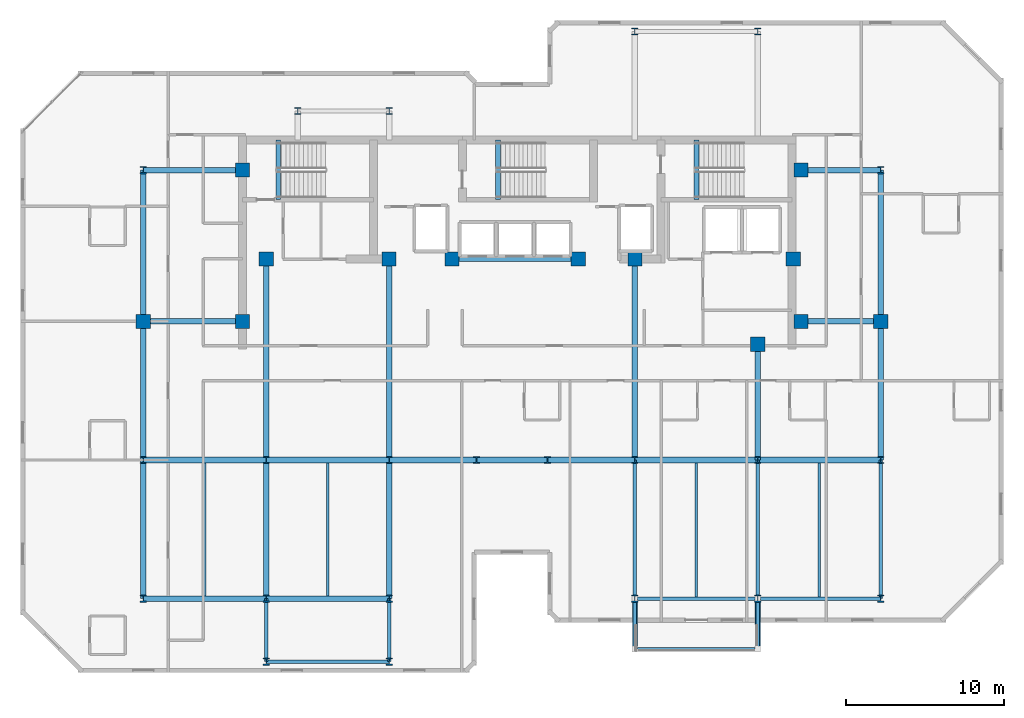
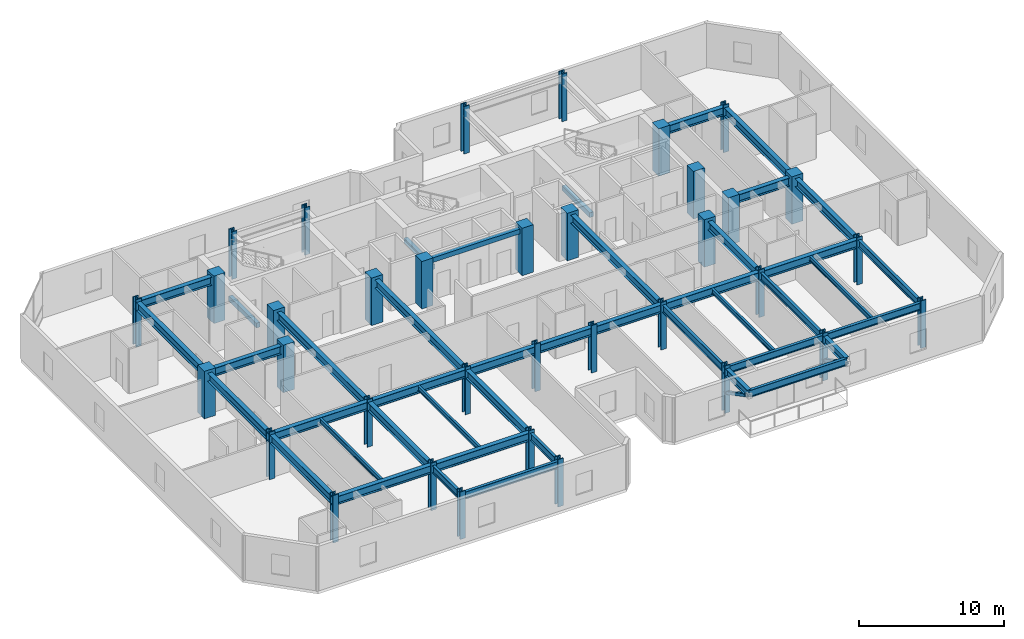
# One storey, part 1 of 11: 43 beams, 35 columns, 2 members.
"""IFC4 building model written with IfcOpenShell, lengths in metres."""

import ifcopenshell
import ifcopenshell.guid

model = None  # the IFC model being written
_history = None  # IfcOwnerHistory: only IFC2X3 demands one
_inside = {}  # id of a spatial element -> (the spatial element, [elements in it])
_under = {}  # id of a project, library or spatial element -> (it, [spatial elements below it])
_declared = {}  # id of a project -> (the project, [libraries it declares])
_typed = {}  # id of a type object -> (the type object, [elements of that type])
_made_of = {}  # id of a material, layer set ... -> (it, [elements and type objects made of it])


def new_model(schema):
    """Start an empty IFC model of exactly this schema.

    Asked for "IFC4X3", IfcOpenShell would pick the latest addendum, in which some entities
    have other attributes; the version numbers below select the first issue.
    IFC2X3 requires an IfcOwnerHistory on every rooted entity: one is made here for all.
    """
    global model, _history
    if schema == "IFC4X3":
        model = ifcopenshell.file(schema_version=(4, 3, 0, 0))
    else:
        model = ifcopenshell.file(schema=schema)
    _inside.clear()
    _under.clear()
    _declared.clear()
    _typed.clear()
    _made_of.clear()
    _history = None
    if model.schema == "IFC2X3":
        org = make("IfcOrganization", Name="unknown")
        user = make(
            "IfcPersonAndOrganization",
            ThePerson=make("IfcPerson", FamilyName="unknown"),
            TheOrganization=org,
        )
        app = make(
            "IfcApplication",
            ApplicationDeveloper=org,
            Version="unknown",
            ApplicationFullName="unknown",
            ApplicationIdentifier="unknown",
        )
        _history = make(
            "IfcOwnerHistory",
            OwningUser=user,
            OwningApplication=app,
            ChangeAction="ADDED",
            CreationDate=0,
        )
    return model


def make(cls, **values):
    """One entity of the class cls with the attributes given. An attribute that is None is left unset."""
    return model.create_entity(
        cls, **{name: value for name, value in values.items() if value is not None}
    )


def rooted(cls, **values):
    """An entity with a GlobalId (a new one), such as an element, a storey or a relation."""
    return make(cls, GlobalId=ifcopenshell.guid.new(), OwnerHistory=_history, **values)


def si_unit(unit_type, name, prefix=None):
    """IfcSIUnit, for example si_unit("LENGTHUNIT", "METRE", prefix="MILLI")."""
    return make("IfcSIUnit", UnitType=unit_type, Prefix=prefix, Name=name)


def assignment(units):
    """IfcUnitAssignment: the units of a project."""
    return None if units is None else make("IfcUnitAssignment", Units=units)


def point(xyz):
    """IfcCartesianPoint."""
    return None if xyz is None else make("IfcCartesianPoint", Coordinates=xyz)


def direction(xyz):
    """IfcDirection."""
    return None if xyz is None else make("IfcDirection", DirectionRatios=xyz)


def frame(location, z_axis=None, x_axis=None):
    """IfcAxis2Placement3D, a coordinate frame: its origin and axes. An axis left out is left unset."""
    return make(
        "IfcAxis2Placement3D",
        Location=point(location),
        Axis=direction(z_axis),
        RefDirection=direction(x_axis),
    )


def frame_2d(location, x_axis=None):
    """IfcAxis2Placement2D, a coordinate frame in the plane: its origin and x axis."""
    return make(
        "IfcAxis2Placement2D", Location=point(location), RefDirection=direction(x_axis)
    )


def origin():
    """The frame at (0, 0, 0) with its axes left unset."""
    return frame((0.0, 0.0, 0.0))


def origin_2d():
    """The frame at (0, 0) in the plane with its x axis left unset."""
    return frame_2d((0.0, 0.0))


def place(relative_to, where):
    """IfcLocalPlacement: puts the frame where relative to a parent placement (None: the world)."""
    return make(
        "IfcLocalPlacement", PlacementRelTo=relative_to, RelativePlacement=where
    )


def context(
    kind, dimensions, precision=None, world=None, true_north=None, identifier=None
):
    """IfcGeometricRepresentationContext, for example the 3D "Model" context."""
    return make(
        "IfcGeometricRepresentationContext",
        ContextIdentifier=identifier,
        ContextType=kind,
        CoordinateSpaceDimension=dimensions,
        Precision=precision,
        WorldCoordinateSystem=world,
        TrueNorth=true_north,
    )


def subcontext(parent, identifier, kind, view, scale=None):
    """IfcGeometricRepresentationSubContext, for example "Body" below "Model"."""
    return make(
        "IfcGeometricRepresentationSubContext",
        ContextIdentifier=identifier,
        ContextType=kind,
        ParentContext=parent,
        TargetScale=scale,
        TargetView=view,
    )


def project(units=None, contexts=None):
    """IfcProject with its units and contexts."""
    return rooted(
        "IfcProject",
        Name="project",
        RepresentationContexts=contexts,
        UnitsInContext=assignment(units),
    )


def spatial(cls, under=None, at=None, **own):
    """A site, building, storey or space (cls), placed at a placement, below another one or the project."""
    s = rooted(cls, ObjectPlacement=at, **own)
    if under is not None:
        _under.setdefault(under.id(), (under, []))[1].append(s)
    return s


def profile(cls, at=None, kind="AREA", **sizes):
    """A parametric profile (cls). Its sizes go by their IFC names, for example OverallWidth=200.0."""
    return make(cls, ProfileType=kind, Position=at, **sizes)


def rectangle(**sizes):
    """IfcRectangleProfileDef."""
    return profile("IfcRectangleProfileDef", **sizes)


def hollow_rectangle(**sizes):
    """IfcRectangleHollowProfileDef."""
    return profile("IfcRectangleHollowProfileDef", **sizes)


def i_section(**sizes):
    """IfcIShapeProfileDef."""
    return profile("IfcIShapeProfileDef", **sizes)


def extrude(swept, where, along, depth):
    """IfcExtrudedAreaSolid: the profile swept, set in the frame where, extruded along a direction by depth."""
    return make(
        "IfcExtrudedAreaSolid",
        SweptArea=swept,
        Position=where,
        ExtrudedDirection=direction(along),
        Depth=depth,
    )


def shape(context_of_items, identifier, shape_type, items):
    """IfcShapeRepresentation: the items that make up one representation, for example the "Body"."""
    return make(
        "IfcShapeRepresentation",
        ContextOfItems=context_of_items,
        RepresentationIdentifier=identifier,
        RepresentationType=shape_type,
        Items=items,
    )


def material(Name=None, Category=None):
    """IfcMaterial."""
    return make("IfcMaterial", Name=Name, Category=Category)


def material_profile(
    of_material, cross_section, Name=None, Category=None, Priority=None
):
    """IfcMaterialProfile: a cross section and its material."""
    return make(
        "IfcMaterialProfile",
        Name=Name,
        Material=of_material,
        Profile=cross_section,
        Priority=Priority,
        Category=Category,
    )


def profile_set(profiles, Name=None, composite=None):
    """IfcMaterialProfileSet."""
    return make(
        "IfcMaterialProfileSet",
        Name=Name,
        MaterialProfiles=profiles,
        CompositeProfile=composite,
    )


def made_of(thing, what):
    """Note that an element or type object is made of a material, layer set ...; save() writes the relation."""
    if what is not None:
        _made_of.setdefault(what.id(), (what, []))[1].append(thing)
    return thing


def type_object(cls, material=None, **own):
    """A type object (cls), such as IfcWallType, which elements share."""
    return made_of(rooted(cls, **own), material)


def element(
    cls,
    number,
    at=None,
    inside=None,
    cuts=None,
    type_object=None,
    material=None,
    context=None,
    identifier="Body",
    shape_type=None,
    held_by="IfcProductDefinitionShape",
    body=None,
    shapes=None,
    **own,
):
    """One element of the class cls, such as IfcWall. Its Tag is "e" and its number.

    at: its placement. inside: the storey or other place that contains it. cuts: it is an
    opening in that element (IfcRelVoidsElement). A single representation is given by context,
    identifier, shape_type and body (its items); several are given by shapes. held_by: the class
    of the entity that holds the representations. save() writes the other relations.
    """
    e = rooted(cls, Tag="e%d" % number, ObjectPlacement=at, **own)
    if body is not None:
        shapes = [shape(context, identifier, shape_type, body)]
    if shapes is not None:
        e.Representation = make(held_by, Representations=shapes)
    if inside is not None:
        _inside.setdefault(inside.id(), (inside, []))[1].append(e)
    if cuts is not None:
        rooted(
            "IfcRelVoidsElement", RelatingBuildingElement=cuts, RelatedOpeningElement=e
        )
    if type_object is not None:
        _typed.setdefault(type_object.id(), (type_object, []))[1].append(e)
    return made_of(e, material)


def aggregate(whole, parts):
    """IfcRelAggregates: a whole, such as a stair, and the parts it consists of."""
    return rooted("IfcRelAggregates", RelatingObject=whole, RelatedObjects=parts)


def save(model, path):
    """Write the relations noted so far, then the file.

    IfcRelAggregates (storeys below a building ...), IfcRelContainedInSpatialStructure (elements
    in a storey), IfcRelDefinesByType, IfcRelAssociatesMaterial and IfcRelDeclares: one each for
    every whole, place, type object, material and project.
    """
    for whole, parts in _under.values():
        aggregate(whole, parts)
    for where, things in _inside.values():
        rooted(
            "IfcRelContainedInSpatialStructure",
            RelatedElements=things,
            RelatingStructure=where,
        )
    for kind, things in _typed.values():
        rooted("IfcRelDefinesByType", RelatedObjects=things, RelatingType=kind)
    for what, things in _made_of.values():
        rooted("IfcRelAssociatesMaterial", RelatedObjects=things, RelatingMaterial=what)
    for by, libraries in _declared.values():
        rooted("IfcRelDeclares", RelatingContext=by, RelatedDefinitions=libraries)
    model.write(path)


model = new_model("IFC4")

# Units and contexts
model_context = context("Model", 3, precision=1e-05, world=origin(), true_north=direction((0.0, 1.0)))
body_context = subcontext(model_context, "Body", "Model", "MODEL_VIEW")
ifc_project = project(units=[si_unit("LENGTHUNIT", "METRE"), si_unit("AREAUNIT", "SQUARE_METRE"), si_unit("VOLUMEUNIT", "CUBIC_METRE"), si_unit("PLANEANGLEUNIT", "RADIAN"), si_unit("MASSUNIT", "GRAM", prefix="KILO")], contexts=[model_context])

# Site, building, storey
site_placement = place(None, origin())
site = spatial("IfcSite", under=ifc_project, at=site_placement, CompositionType="ELEMENT")
building_placement = place(site_placement, origin())
building = spatial("IfcBuilding", under=site, at=building_placement, Name="Kestravale Grand Hotel", CompositionType="ELEMENT")
storey_placement = place(building_placement, frame((0.0, 0.0, 249.39990234375)))
storey = spatial("IfcBuildingStorey", under=building, at=storey_placement, Name="L62", CompositionType="ELEMENT", Elevation=249.39990234375)

# Columns
ifc_material_1 = material(Name="Concrete f'c 50 MPa", Category="concrete")
ifc_material_profile_1 = material_profile(ifc_material_1, rectangle(XDim=0.89990234375, YDim=0.89990234375, at=origin_2d()))
ifc_profile_set_1 = profile_set([ifc_material_profile_1], Name="Concrete f'c 50 MPa")
column_type_1 = type_object("IfcColumnType", Name="C-Z4-900", PredefinedType="COLUMN", material=ifc_profile_set_1)
for number, where, z_axis, x_axis, name in (
    (1, (15.60009765625, 28.800048828125, 0.0), (0.0, 0.0, 1.0), (1.0, 0.0, 0.0), "L62 column 3-E"),
    (2, (62.39990234375, 28.800048828125, 0.0), (0.0, 0.0, 1.0), (1.0, 0.0, 0.0), "L62 column 10-E"),
    (3, (21.89990234375, 28.800048828125, 0.0), (0.0, 0.0, 1.0), (1.0, 0.0, 0.0), "L62 column CW-E"),
    (4, (21.89990234375, 38.39990234375, 0.0), (0.0, 0.0, 1.0), (1.0, 0.0, 0.0), "L62 column CW-F"),
    (5, (57.35009765625, 28.800048828125, 0.0), (0.0, 0.0, 1.0), (1.0, 0.0, 0.0), "L62 column CE-E"),
    (6, (57.35009765625, 38.39990234375, 0.0), (0.0, 0.0, 1.0), (1.0, 0.0, 0.0), "L62 column CE-F"),
    (7, (23.39990234375, 32.75, 0.0), (0.0, 0.0, 1.0), (1.0, 0.0, 0.0), "L62 column 4-CS"),
    (8, (31.199951171875, 32.75, 0.0), (0.0, 0.0, 1.0), (1.0, 0.0, 0.0), "L62 column 5-CS"),
    (9, (35.199951171875, 32.75, 0.0), (0.0, 0.0, 1.0), (1.0, 0.0, 0.0), "L62 column 6C-CS"),
    (10, (43.199951171875, 32.75, 0.0), (0.0, 0.0, 1.0), (1.0, 0.0, 0.0), "L62 column 7C-CS"),
    (11, (46.800048828125, 32.75, 0.0), (0.0, 0.0, 1.0), (1.0, 0.0, 0.0), "L62 column 8-CS"),
    (12, (54.60009765625, 27.35009765625, 0.0), (0.0, 0.0, 1.0), (1.0, 0.0, 0.0), "L62 column 9-CS"),
    (13, (56.85009765625, 32.75, 0.0), (0.0, 0.0, 1.0), (1.0, 0.0, 0.0), "L62 column 9C-CS"),
):
    element("IfcColumn", number, at=place(storey_placement, frame(where, z_axis=z_axis, x_axis=x_axis)), inside=storey, type_object=column_type_1, Name=name, PredefinedType="COLUMN", context=body_context, shape_type="SweptSolid", body=[
        extrude(rectangle(XDim=0.89990234375, YDim=0.89990234375, at=origin_2d()), origin(), (0.0, 0.0, 1.0), 4.0),
    ])
ifc_material_2 = material(Name="Steel ASTM A992 Grade 50", Category="steel")
ifc_material_profile_2 = material_profile(ifc_material_2, i_section(OverallWidth=0.422119140625, OverallDepth=0.465087890625, WebThickness=0.044921875, FlangeThickness=0.072509765625, FilletRadius=0.0166015625, at=origin_2d()))
ifc_profile_set_2 = profile_set([ifc_material_profile_2], Name="Steel ASTM A992 Grade 50")
column_type_2 = type_object("IfcColumnType", Name="C-Z4-W14X398", PredefinedType="COLUMN", material=ifc_profile_set_2)
for number, where, z_axis, x_axis, name in (
    (14, (15.60009765625, 11.199951171875, 0.0), (0.0, 0.0, 1.0), (1.0, 0.0, 0.0), "L62 column 3-C"),
    (15, (15.60009765625, 20.0, 0.0), (0.0, 0.0, 1.0), (1.0, 0.0, 0.0), "L62 column 3-D"),
    (16, (15.60009765625, 38.39990234375, 0.0), (0.0, 0.0, 1.0), (1.0, 0.0, 0.0), "L62 column 3-F"),
    (17, (23.39990234375, 11.199951171875, 0.0), (0.0, 0.0, 1.0), (1.0, 0.0, 0.0), "L62 column 4-C"),
    (18, (23.39990234375, 20.0, 0.0), (0.0, 0.0, 1.0), (1.0, 0.0, 0.0), "L62 column 4-D"),
    (19, (31.199951171875, 11.199951171875, 0.0), (0.0, 0.0, 1.0), (1.0, 0.0, 0.0), "L62 column 5-C"),
    (20, (31.199951171875, 20.0, 0.0), (0.0, 0.0, 1.0), (1.0, 0.0, 0.0), "L62 column 5-D"),
    (21, (36.75, 20.0, 0.0), (0.0, 0.0, 1.0), (1.0, 0.0, 0.0), "L62 column 6-D"),
    (22, (41.25, 20.0, 0.0), (0.0, 0.0, 1.0), (1.0, 0.0, 0.0), "L62 column 7-D"),
    (23, (46.800048828125, 11.199951171875, 0.0), (0.0, 0.0, 1.0), (1.0, 0.0, 0.0), "L62 column 8-C"),
    (24, (46.800048828125, 20.0, 0.0), (0.0, 0.0, 1.0), (1.0, 0.0, 0.0), "L62 column 8-D"),
    (25, (46.800048828125, 47.199951171875, 0.0), (0.0, 0.0, 1.0), (1.0, 0.0, 0.0), "L62 column 8-G"),
    (26, (54.60009765625, 11.199951171875, 0.0), (0.0, 0.0, 1.0), (1.0, 0.0, 0.0), "L62 column 9-C"),
    (27, (54.60009765625, 20.0, 0.0), (0.0, 0.0, 1.0), (1.0, 0.0, 0.0), "L62 column 9-D"),
    (28, (54.60009765625, 47.199951171875, 0.0), (0.0, 0.0, 1.0), (1.0, 0.0, 0.0), "L62 column 9-G"),
    (29, (62.39990234375, 11.199951171875, 0.0), (0.0, 0.0, 1.0), (1.0, 0.0, 0.0), "L62 column 10-C"),
    (30, (62.39990234375, 20.0, 0.0), (0.0, 0.0, 1.0), (1.0, 0.0, 0.0), "L62 column 10-D"),
    (31, (62.39990234375, 38.39990234375, 0.0), (0.0, 0.0, 1.0), (1.0, 0.0, 0.0), "L62 column 10-F"),
    (32, (23.39990234375, 7.199951171875, 0.0), (0.0, 0.0, 1.0), (1.0, 0.0, 0.0), "L62 column 4-BS"),
    (33, (31.199951171875, 7.199951171875, 0.0), (0.0, 0.0, 1.0), (1.0, 0.0, 0.0), "L62 column 5-BS"),
    (34, (25.39990234375, 42.14990234375, 0.0), (0.0, 0.0, 1.0), (1.0, 0.0, 0.0), "L62 column 4-FN"),
    (35, (31.199951171875, 42.14990234375, 0.0), (0.0, 0.0, 1.0), (1.0, 0.0, 0.0), "L62 column 5-FN"),
):
    element("IfcColumn", number, at=place(storey_placement, frame(where, z_axis=z_axis, x_axis=x_axis)), inside=storey, type_object=column_type_2, Name=name, PredefinedType="COLUMN", context=body_context, shape_type="SweptSolid", body=[
        extrude(i_section(OverallWidth=0.422119140625, OverallDepth=0.465087890625, WebThickness=0.044921875, FlangeThickness=0.072509765625, FilletRadius=0.0166015625, at=origin_2d()), origin(), (0.0, 0.0, 1.0), 4.0),
    ])

# Beams
ifc_material_3 = material(Name="Steel ASTM A992 Grade 50", Category="steel")
ifc_material_profile_3 = material_profile(ifc_material_3, i_section(OverallWidth=0.177978515625, OverallDepth=0.404052734375, WebThickness=0.007568359375, FlangeThickness=0.010986328125, FilletRadius=0.01416015625, at=origin_2d()))
ifc_profile_set_3 = profile_set([ifc_material_profile_3], Name="Steel ASTM A992 Grade 50")
beam_type_1 = type_object("IfcBeamType", Name="B-FLR-JST16", PredefinedType="JOIST", material=ifc_profile_set_3)
for number, where, z_axis, x_axis, name in (
    (36, (19.5, 11.3779296875, 3.55810546875), (0.0, 1.0, 0.0), (-1.0, 0.0, 0.0), "L62 floor joist 3-4/C-D #1"),
    (37, (27.300048828125, 11.3779296875, 3.55810546875), (0.0, 1.0, 0.0), (-1.0, 0.0, 0.0), "L62 floor joist 4-5/C-D #1"),
):
    element("IfcBeam", number, at=place(storey_placement, frame(where, z_axis=z_axis, x_axis=x_axis)), inside=storey, type_object=beam_type_1, Name=name, PredefinedType="JOIST", context=body_context, shape_type="SweptSolid", body=[
        extrude(i_section(OverallWidth=0.177978515625, OverallDepth=0.404052734375, WebThickness=0.007568359375, FlangeThickness=0.010986328125, FilletRadius=0.01416015625, at=origin_2d()), origin(), (0.0, 0.0, 1.0), 8.444091796875),
    ])
for number, where, z_axis, x_axis, name in (
    (38, (50.699951171875, 11.314453125, 3.55810546875), (0.0, 1.0, 0.0), (-1.0, 0.0, 0.0), "L62 floor joist 8-9/C-D #1"),
    (39, (58.5, 11.314453125, 3.55810546875), (0.0, 1.0, 0.0), (-1.0, 0.0, 0.0), "L62 floor joist 9-10/C-D #1"),
):
    element("IfcBeam", number, at=place(storey_placement, frame(where, z_axis=z_axis, x_axis=x_axis)), inside=storey, type_object=beam_type_1, Name=name, PredefinedType="JOIST", context=body_context, shape_type="SweptSolid", body=[
        extrude(i_section(OverallWidth=0.177978515625, OverallDepth=0.404052734375, WebThickness=0.007568359375, FlangeThickness=0.010986328125, FilletRadius=0.01416015625, at=origin_2d()), origin(), (0.0, 0.0, 1.0), 8.507568359375),
    ])
ifc_material_4 = material(Name="Concrete f'c 45 MPa", Category="concrete")
ifc_material_profile_4 = material_profile(ifc_material_4, rectangle(XDim=0.300048828125, YDim=0.39990234375, at=origin_2d()))
ifc_profile_set_4 = profile_set([ifc_material_profile_4], Name="Concrete f'c 45 MPa")
beam_type_2 = type_object("IfcBeamType", Name="B-FLR-LNT400", PredefinedType="LINTEL", material=ifc_profile_set_4)
beam_1_placement = place(storey_placement, frame((35.199951171875, 32.75, 3.56005859375), z_axis=(1.0, 0.0, 0.0), x_axis=(0.0, 1.0, 0.0)))
element("IfcBeam", 40, at=beam_1_placement, inside=storey, type_object=beam_type_2, Name="L62 core portal header lintel", PredefinedType="LINTEL", context=body_context, shape_type="SweptSolid", body=[
    extrude(rectangle(XDim=0.300048828125, YDim=0.39990234375, at=origin_2d()), origin(), (0.0, 0.0, 1.0), 8.0),
])
for number, where, z_axis, x_axis, name in (
    (41, (24.159912109375, 36.52001953125, -0.199951171875), (0.0, 1.0, 0.0), (-1.0, 0.0, 0.0), "L62 ST1 flight bottom header beam"),
    (42, (38.110107421875, 36.52001953125, -0.199951171875), (0.0, 1.0, 0.0), (-1.0, 0.0, 0.0), "L62 ST2 flight bottom header beam"),
    (43, (50.7099609375, 36.52001953125, -0.199951171875), (0.0, 1.0, 0.0), (-1.0, 0.0, 0.0), "L62 ST3 flight bottom header beam"),
):
    element("IfcBeam", number, at=place(storey_placement, frame(where, z_axis=z_axis, x_axis=x_axis)), inside=storey, type_object=beam_type_2, Name=name, PredefinedType="LINTEL", context=body_context, shape_type="SweptSolid", body=[
        extrude(rectangle(XDim=0.300048828125, YDim=0.39990234375, at=origin_2d()), origin(), (0.0, 0.0, 1.0), 3.800048828125),
    ])
ifc_material_5 = material(Name="Steel ASTM A992 Grade 50", Category="steel")
ifc_material_profile_5 = material_profile(ifc_material_5, i_section(OverallWidth=0.324951171875, OverallDepth=0.612060546875, WebThickness=0.0126953125, FlangeThickness=0.01904296875, FilletRadius=0.018798828125, at=origin_2d()))
ifc_profile_set_5 = profile_set([ifc_material_profile_5], Name="Steel ASTM A992 Grade 50")
beam_type_3 = type_object("IfcBeamType", Name="B-FLR-W24A", PredefinedType="SPANDREL", material=ifc_profile_set_5)
for number, where, z_axis, x_axis, name in (
    (44, (46.800048828125, 11.199951171875, 3.424072265625), (0.0, -1.0, 0.0), (1.0, 0.0, 0.0), "L63 terrace cantilever beam 1"),
    (45, (54.60009765625, 11.199951171875, 3.424072265625), (0.0, -1.0, 0.0), (1.0, 0.0, 0.0), "L63 terrace cantilever beam 2"),
):
    element("IfcBeam", number, at=place(storey_placement, frame(where, z_axis=z_axis, x_axis=x_axis)), inside=storey, type_object=beam_type_3, Name=name, PredefinedType="SPANDREL", context=body_context, shape_type="SweptSolid", body=[
        extrude(i_section(OverallWidth=0.324951171875, OverallDepth=0.612060546875, WebThickness=0.0126953125, FlangeThickness=0.01904296875, FilletRadius=0.018798828125, at=origin_2d()), origin(), (0.0, 0.0, 1.0), 3.199951171875),
    ])
ifc_material_6 = material(Name="Steel ASTM A992 Grade 50", Category="steel")
ifc_material_profile_6 = material_profile(ifc_material_6, i_section(OverallWidth=0.22900390625, OverallDepth=0.612060546875, WebThickness=0.011962890625, FlangeThickness=0.01953125, FilletRadius=0.019287109375, at=origin_2d()))
ifc_profile_set_6 = profile_set([ifc_material_profile_6], Name="Steel ASTM A992 Grade 50")
beam_type_4 = type_object("IfcBeamType", Name="B-FLR-W24B", PredefinedType="SPANDREL", material=ifc_profile_set_6)
beam_2_placement = place(storey_placement, frame((46.800048828125, 11.199951171875, 3.4541015625), z_axis=(1.0, 0.0, 0.0), x_axis=(0.0, 1.0, 0.0)))
element("IfcBeam", 46, at=beam_2_placement, inside=storey, type_object=beam_type_4, Name="L62 spandrel C:8-9", PredefinedType="SPANDREL", context=body_context, shape_type="SweptSolid", body=[
    extrude(i_section(OverallWidth=0.22900390625, OverallDepth=0.612060546875, WebThickness=0.011962890625, FlangeThickness=0.01953125, FilletRadius=0.019287109375, at=origin_2d()), origin(), (0.0, 0.0, 1.0), 7.800048828125),
])
beam_3_placement = place(storey_placement, frame((54.60009765625, 11.199951171875, 3.4541015625), z_axis=(1.0, 0.0, 0.0), x_axis=(0.0, 1.0, 0.0)))
element("IfcBeam", 47, at=beam_3_placement, inside=storey, type_object=beam_type_4, Name="L62 spandrel C:9-10", PredefinedType="SPANDREL", context=body_context, shape_type="SweptSolid", body=[
    extrude(i_section(OverallWidth=0.22900390625, OverallDepth=0.612060546875, WebThickness=0.011962890625, FlangeThickness=0.01953125, FilletRadius=0.019287109375, at=origin_2d()), origin(), (0.0, 0.0, 1.0), 7.7998046875),
])
beam_4_placement = place(storey_placement, frame((23.39990234375, 7.199951171875, 3.4541015625), z_axis=(1.0, 0.0, 0.0), x_axis=(0.0, 1.0, 0.0)))
element("IfcBeam", 48, at=beam_4_placement, inside=storey, type_object=beam_type_4, Name="L62 perimeter tie spandrel BS:4-5", PredefinedType="SPANDREL", context=body_context, shape_type="SweptSolid", body=[
    extrude(i_section(OverallWidth=0.22900390625, OverallDepth=0.612060546875, WebThickness=0.011962890625, FlangeThickness=0.01953125, FilletRadius=0.019287109375, at=origin_2d()), origin(), (0.0, 0.0, 1.0), 7.800048828125),
])
for number, where, z_axis, x_axis, name in (
    (49, (23.39990234375, 7.199951171875, 3.4541015625), (0.0, 1.0, 0.0), (-1.0, 0.0, 0.0), "L62 spandrel 4:BS-C"),
    (50, (31.199951171875, 7.199951171875, 3.4541015625), (0.0, 1.0, 0.0), (-1.0, 0.0, 0.0), "L62 spandrel 5:BS-C"),
):
    element("IfcBeam", number, at=place(storey_placement, frame(where, z_axis=z_axis, x_axis=x_axis)), inside=storey, type_object=beam_type_4, Name=name, PredefinedType="SPANDREL", context=body_context, shape_type="SweptSolid", body=[
        extrude(i_section(OverallWidth=0.22900390625, OverallDepth=0.612060546875, WebThickness=0.011962890625, FlangeThickness=0.01953125, FilletRadius=0.019287109375, at=origin_2d()), origin(), (0.0, 0.0, 1.0), 4.0),
    ])
for number, where, z_axis, x_axis, name in (
    (51, (46.800048828125, 11.199951171875, 3.4541015625), (0.0, 1.0, 0.0), (-1.0, 0.0, 0.0), "L62 spandrel 8:C-D"),
    (52, (54.60009765625, 11.199951171875, 3.4541015625), (0.0, 1.0, 0.0), (-1.0, 0.0, 0.0), "L62 spandrel 9:C-D"),
    (53, (62.39990234375, 11.199951171875, 3.4541015625), (0.0, 1.0, 0.0), (-1.0, 0.0, 0.0), "L62 spandrel 10:C-D"),
):
    element("IfcBeam", number, at=place(storey_placement, frame(where, z_axis=z_axis, x_axis=x_axis)), inside=storey, type_object=beam_type_4, Name=name, PredefinedType="SPANDREL", context=body_context, shape_type="SweptSolid", body=[
        extrude(i_section(OverallWidth=0.22900390625, OverallDepth=0.612060546875, WebThickness=0.011962890625, FlangeThickness=0.01953125, FilletRadius=0.019287109375, at=origin_2d()), origin(), (0.0, 0.0, 1.0), 8.800048828125),
    ])
beam_5_placement = place(storey_placement, frame((46.800048828125, 8.0, 3.424072265625), z_axis=(1.0, 0.0, 0.0), x_axis=(0.0, 1.0, 0.0)))
element("IfcBeam", 54, at=beam_5_placement, inside=storey, type_object=beam_type_4, Name="L63 terrace edge spandrel", PredefinedType="SPANDREL", context=body_context, shape_type="SweptSolid", body=[
    extrude(i_section(OverallWidth=0.22900390625, OverallDepth=0.612060546875, WebThickness=0.011962890625, FlangeThickness=0.01953125, FilletRadius=0.019287109375, at=origin_2d()), origin(), (0.0, 0.0, 1.0), 7.800048828125),
])
ifc_material_7 = material(Name="Steel ASTM A992 Grade 50", Category="steel")
ifc_material_profile_7 = material_profile(ifc_material_7, i_section(OverallWidth=0.35595703125, OverallDepth=0.696044921875, WebThickness=0.015380859375, FlangeThickness=0.02490234375, FilletRadius=0.021240234375, at=origin_2d()))
ifc_profile_set_7 = profile_set([ifc_material_profile_7], Name="Steel ASTM A992 Grade 50")
beam_type_5 = type_object("IfcBeamType", Name="B-GRD-W27", PredefinedType="BEAM", material=ifc_profile_set_7)
beam_6_placement = place(storey_placement, frame((15.60009765625, 11.199951171875, 3.412109375), z_axis=(1.0, 0.0, 0.0), x_axis=(0.0, 1.0, 0.0)))
element("IfcBeam", 55, at=beam_6_placement, inside=storey, type_object=beam_type_5, Name="L62 girder C:3-4", PredefinedType="BEAM", context=body_context, shape_type="SweptSolid", body=[
    extrude(i_section(OverallWidth=0.35595703125, OverallDepth=0.696044921875, WebThickness=0.015380859375, FlangeThickness=0.02490234375, FilletRadius=0.021240234375, at=origin_2d()), origin(), (0.0, 0.0, 1.0), 7.7998046875),
])
beam_7_placement = place(storey_placement, frame((23.39990234375, 11.199951171875, 3.412109375), z_axis=(1.0, 0.0, 0.0), x_axis=(0.0, 1.0, 0.0)))
element("IfcBeam", 56, at=beam_7_placement, inside=storey, type_object=beam_type_5, Name="L62 girder C:4-5", PredefinedType="BEAM", context=body_context, shape_type="SweptSolid", body=[
    extrude(i_section(OverallWidth=0.35595703125, OverallDepth=0.696044921875, WebThickness=0.015380859375, FlangeThickness=0.02490234375, FilletRadius=0.021240234375, at=origin_2d()), origin(), (0.0, 0.0, 1.0), 7.800048828125),
])
beam_8_placement = place(storey_placement, frame((15.60009765625, 20.0, 3.412109375), z_axis=(1.0, 0.0, 0.0), x_axis=(0.0, 1.0, 0.0)))
element("IfcBeam", 57, at=beam_8_placement, inside=storey, type_object=beam_type_5, Name="L62 girder D:3-4", PredefinedType="BEAM", context=body_context, shape_type="SweptSolid", body=[
    extrude(i_section(OverallWidth=0.35595703125, OverallDepth=0.696044921875, WebThickness=0.015380859375, FlangeThickness=0.02490234375, FilletRadius=0.021240234375, at=origin_2d()), origin(), (0.0, 0.0, 1.0), 7.7998046875),
])
beam_9_placement = place(storey_placement, frame((23.39990234375, 20.0, 3.412109375), z_axis=(1.0, 0.0, 0.0), x_axis=(0.0, 1.0, 0.0)))
element("IfcBeam", 58, at=beam_9_placement, inside=storey, type_object=beam_type_5, Name="L62 girder D:4-5", PredefinedType="BEAM", context=body_context, shape_type="SweptSolid", body=[
    extrude(i_section(OverallWidth=0.35595703125, OverallDepth=0.696044921875, WebThickness=0.015380859375, FlangeThickness=0.02490234375, FilletRadius=0.021240234375, at=origin_2d()), origin(), (0.0, 0.0, 1.0), 7.800048828125),
])
beam_10_placement = place(storey_placement, frame((31.199951171875, 20.0, 3.412109375), z_axis=(1.0, 0.0, 0.0), x_axis=(0.0, 1.0, 0.0)))
element("IfcBeam", 59, at=beam_10_placement, inside=storey, type_object=beam_type_5, Name="L62 girder D:5-6", PredefinedType="BEAM", context=body_context, shape_type="SweptSolid", body=[
    extrude(i_section(OverallWidth=0.35595703125, OverallDepth=0.696044921875, WebThickness=0.015380859375, FlangeThickness=0.02490234375, FilletRadius=0.021240234375, at=origin_2d()), origin(), (0.0, 0.0, 1.0), 5.550048828125),
])
beam_11_placement = place(storey_placement, frame((36.75, 20.0, 3.412109375), z_axis=(1.0, 0.0, 0.0), x_axis=(0.0, 1.0, 0.0)))
element("IfcBeam", 60, at=beam_11_placement, inside=storey, type_object=beam_type_5, Name="L62 girder D:6-7", PredefinedType="BEAM", context=body_context, shape_type="SweptSolid", body=[
    extrude(i_section(OverallWidth=0.35595703125, OverallDepth=0.696044921875, WebThickness=0.015380859375, FlangeThickness=0.02490234375, FilletRadius=0.021240234375, at=origin_2d()), origin(), (0.0, 0.0, 1.0), 4.5),
])
beam_12_placement = place(storey_placement, frame((41.25, 20.0, 3.412109375), z_axis=(1.0, 0.0, 0.0), x_axis=(0.0, 1.0, 0.0)))
element("IfcBeam", 61, at=beam_12_placement, inside=storey, type_object=beam_type_5, Name="L62 girder D:7-8", PredefinedType="BEAM", context=body_context, shape_type="SweptSolid", body=[
    extrude(i_section(OverallWidth=0.35595703125, OverallDepth=0.696044921875, WebThickness=0.015380859375, FlangeThickness=0.02490234375, FilletRadius=0.021240234375, at=origin_2d()), origin(), (0.0, 0.0, 1.0), 5.550048828125),
])
beam_13_placement = place(storey_placement, frame((46.800048828125, 20.0, 3.412109375), z_axis=(1.0, 0.0, 0.0), x_axis=(0.0, 1.0, 0.0)))
element("IfcBeam", 62, at=beam_13_placement, inside=storey, type_object=beam_type_5, Name="L62 girder D:8-9", PredefinedType="BEAM", context=body_context, shape_type="SweptSolid", body=[
    extrude(i_section(OverallWidth=0.35595703125, OverallDepth=0.696044921875, WebThickness=0.015380859375, FlangeThickness=0.02490234375, FilletRadius=0.021240234375, at=origin_2d()), origin(), (0.0, 0.0, 1.0), 7.800048828125),
])
beam_14_placement = place(storey_placement, frame((54.60009765625, 20.0, 3.412109375), z_axis=(1.0, 0.0, 0.0), x_axis=(0.0, 1.0, 0.0)))
element("IfcBeam", 63, at=beam_14_placement, inside=storey, type_object=beam_type_5, Name="L62 girder D:9-10", PredefinedType="BEAM", context=body_context, shape_type="SweptSolid", body=[
    extrude(i_section(OverallWidth=0.35595703125, OverallDepth=0.696044921875, WebThickness=0.015380859375, FlangeThickness=0.02490234375, FilletRadius=0.021240234375, at=origin_2d()), origin(), (0.0, 0.0, 1.0), 7.7998046875),
])
beam_15_placement = place(storey_placement, frame((15.60009765625, 28.800048828125, 3.412109375), z_axis=(1.0, 0.0, 0.0), x_axis=(0.0, 1.0, 0.0)))
element("IfcBeam", 64, at=beam_15_placement, inside=storey, type_object=beam_type_5, Name="L62 girder E:3-CW", PredefinedType="BEAM", context=body_context, shape_type="SweptSolid", body=[
    extrude(i_section(OverallWidth=0.35595703125, OverallDepth=0.696044921875, WebThickness=0.015380859375, FlangeThickness=0.02490234375, FilletRadius=0.021240234375, at=origin_2d()), origin(), (0.0, 0.0, 1.0), 6.2998046875),
])
beam_16_placement = place(storey_placement, frame((57.35009765625, 28.800048828125, 3.412109375), z_axis=(1.0, 0.0, 0.0), x_axis=(0.0, 1.0, 0.0)))
element("IfcBeam", 65, at=beam_16_placement, inside=storey, type_object=beam_type_5, Name="L62 girder E:CE-10", PredefinedType="BEAM", context=body_context, shape_type="SweptSolid", body=[
    extrude(i_section(OverallWidth=0.35595703125, OverallDepth=0.696044921875, WebThickness=0.015380859375, FlangeThickness=0.02490234375, FilletRadius=0.021240234375, at=origin_2d()), origin(), (0.0, 0.0, 1.0), 5.0498046875),
])
beam_17_placement = place(storey_placement, frame((15.60009765625, 38.39990234375, 3.412109375), z_axis=(1.0, 0.0, 0.0), x_axis=(0.0, 1.0, 0.0)))
element("IfcBeam", 66, at=beam_17_placement, inside=storey, type_object=beam_type_5, Name="L62 girder F:3-CW", PredefinedType="BEAM", context=body_context, shape_type="SweptSolid", body=[
    extrude(i_section(OverallWidth=0.35595703125, OverallDepth=0.696044921875, WebThickness=0.015380859375, FlangeThickness=0.02490234375, FilletRadius=0.021240234375, at=origin_2d()), origin(), (0.0, 0.0, 1.0), 6.2998046875),
])
beam_18_placement = place(storey_placement, frame((57.35009765625, 38.39990234375, 3.412109375), z_axis=(1.0, 0.0, 0.0), x_axis=(0.0, 1.0, 0.0)))
element("IfcBeam", 67, at=beam_18_placement, inside=storey, type_object=beam_type_5, Name="L62 girder F:CE-10", PredefinedType="BEAM", context=body_context, shape_type="SweptSolid", body=[
    extrude(i_section(OverallWidth=0.35595703125, OverallDepth=0.696044921875, WebThickness=0.015380859375, FlangeThickness=0.02490234375, FilletRadius=0.021240234375, at=origin_2d()), origin(), (0.0, 0.0, 1.0), 5.0498046875),
])
for number, where, z_axis, x_axis, name in (
    (68, (15.60009765625, 11.199951171875, 3.412109375), (0.0, 1.0, 0.0), (-1.0, 0.0, 0.0), "L62 girder 3:C-D"),
    (69, (15.60009765625, 20.0, 3.412109375), (0.0, 1.0, 0.0), (-1.0, 0.0, 0.0), "L62 girder 3:D-E"),
):
    element("IfcBeam", number, at=place(storey_placement, frame(where, z_axis=z_axis, x_axis=x_axis)), inside=storey, type_object=beam_type_5, Name=name, PredefinedType="BEAM", context=body_context, shape_type="SweptSolid", body=[
        extrude(i_section(OverallWidth=0.35595703125, OverallDepth=0.696044921875, WebThickness=0.015380859375, FlangeThickness=0.02490234375, FilletRadius=0.021240234375, at=origin_2d()), origin(), (0.0, 0.0, 1.0), 8.800048828125),
    ])
beam_19_placement = place(storey_placement, frame((15.60009765625, 28.800048828125, 3.412109375), z_axis=(0.0, 1.0, 0.0), x_axis=(-1.0, 0.0, 0.0)))
element("IfcBeam", 70, at=beam_19_placement, inside=storey, type_object=beam_type_5, Name="L62 girder 3:E-F", PredefinedType="BEAM", context=body_context, shape_type="SweptSolid", body=[
    extrude(i_section(OverallWidth=0.35595703125, OverallDepth=0.696044921875, WebThickness=0.015380859375, FlangeThickness=0.02490234375, FilletRadius=0.021240234375, at=origin_2d()), origin(), (0.0, 0.0, 1.0), 9.599853515625),
])
beam_20_placement = place(storey_placement, frame((23.39990234375, 11.199951171875, 3.412109375), z_axis=(0.0, 1.0, 0.0), x_axis=(-1.0, 0.0, 0.0)))
element("IfcBeam", 71, at=beam_20_placement, inside=storey, type_object=beam_type_5, Name="L62 girder 4:C-D", PredefinedType="BEAM", context=body_context, shape_type="SweptSolid", body=[
    extrude(i_section(OverallWidth=0.35595703125, OverallDepth=0.696044921875, WebThickness=0.015380859375, FlangeThickness=0.02490234375, FilletRadius=0.021240234375, at=origin_2d()), origin(), (0.0, 0.0, 1.0), 8.800048828125),
])
beam_21_placement = place(storey_placement, frame((23.39990234375, 20.0, 3.412109375), z_axis=(0.0, 1.0, 0.0), x_axis=(-1.0, 0.0, 0.0)))
element("IfcBeam", 72, at=beam_21_placement, inside=storey, type_object=beam_type_5, Name="L62 girder 4:D-CS", PredefinedType="BEAM", context=body_context, shape_type="SweptSolid", body=[
    extrude(i_section(OverallWidth=0.35595703125, OverallDepth=0.696044921875, WebThickness=0.015380859375, FlangeThickness=0.02490234375, FilletRadius=0.021240234375, at=origin_2d()), origin(), (0.0, 0.0, 1.0), 12.75),
])
beam_22_placement = place(storey_placement, frame((31.199951171875, 11.199951171875, 3.412109375), z_axis=(0.0, 1.0, 0.0), x_axis=(-1.0, 0.0, 0.0)))
element("IfcBeam", 73, at=beam_22_placement, inside=storey, type_object=beam_type_5, Name="L62 girder 5:C-D", PredefinedType="BEAM", context=body_context, shape_type="SweptSolid", body=[
    extrude(i_section(OverallWidth=0.35595703125, OverallDepth=0.696044921875, WebThickness=0.015380859375, FlangeThickness=0.02490234375, FilletRadius=0.021240234375, at=origin_2d()), origin(), (0.0, 0.0, 1.0), 8.800048828125),
])
for number, where, z_axis, x_axis, name in (
    (74, (31.199951171875, 20.0, 3.412109375), (0.0, 1.0, 0.0), (-1.0, 0.0, 0.0), "L62 girder 5:D-CS"),
    (75, (46.800048828125, 20.0, 3.412109375), (0.0, 1.0, 0.0), (-1.0, 0.0, 0.0), "L62 girder 8:D-CS"),
):
    element("IfcBeam", number, at=place(storey_placement, frame(where, z_axis=z_axis, x_axis=x_axis)), inside=storey, type_object=beam_type_5, Name=name, PredefinedType="BEAM", context=body_context, shape_type="SweptSolid", body=[
        extrude(i_section(OverallWidth=0.35595703125, OverallDepth=0.696044921875, WebThickness=0.015380859375, FlangeThickness=0.02490234375, FilletRadius=0.021240234375, at=origin_2d()), origin(), (0.0, 0.0, 1.0), 12.75),
    ])
beam_23_placement = place(storey_placement, frame((54.60009765625, 20.0, 3.412109375), z_axis=(0.0, 1.0, 0.0), x_axis=(-1.0, 0.0, 0.0)))
element("IfcBeam", 76, at=beam_23_placement, inside=storey, type_object=beam_type_5, Name="L62 girder 9:D-CS", PredefinedType="BEAM", context=body_context, shape_type="SweptSolid", body=[
    extrude(i_section(OverallWidth=0.35595703125, OverallDepth=0.696044921875, WebThickness=0.015380859375, FlangeThickness=0.02490234375, FilletRadius=0.021240234375, at=origin_2d()), origin(), (0.0, 0.0, 1.0), 7.35009765625),
])
beam_24_placement = place(storey_placement, frame((62.39990234375, 20.0, 3.412109375), z_axis=(0.0, 1.0, 0.0), x_axis=(-1.0, 0.0, 0.0)))
element("IfcBeam", 77, at=beam_24_placement, inside=storey, type_object=beam_type_5, Name="L62 girder 10:D-E", PredefinedType="BEAM", context=body_context, shape_type="SweptSolid", body=[
    extrude(i_section(OverallWidth=0.35595703125, OverallDepth=0.696044921875, WebThickness=0.015380859375, FlangeThickness=0.02490234375, FilletRadius=0.021240234375, at=origin_2d()), origin(), (0.0, 0.0, 1.0), 8.800048828125),
])
beam_25_placement = place(storey_placement, frame((62.39990234375, 28.800048828125, 3.412109375), z_axis=(0.0, 1.0, 0.0), x_axis=(-1.0, 0.0, 0.0)))
element("IfcBeam", 78, at=beam_25_placement, inside=storey, type_object=beam_type_5, Name="L62 girder 10:E-F", PredefinedType="BEAM", context=body_context, shape_type="SweptSolid", body=[
    extrude(i_section(OverallWidth=0.35595703125, OverallDepth=0.696044921875, WebThickness=0.015380859375, FlangeThickness=0.02490234375, FilletRadius=0.021240234375, at=origin_2d()), origin(), (0.0, 0.0, 1.0), 9.599853515625),
])

# Members
ifc_material_8 = material(Name="Steel ASTM A500 Grade C", Category="steel")
ifc_material_profile_8 = material_profile(ifc_material_8, hollow_rectangle(XDim=0.25, YDim=0.25, WallThickness=0.011962890625, InnerFilletRadius=0.011962890625, OuterFilletRadius=0.02392578125, at=origin_2d()))
ifc_profile_set_8 = profile_set([ifc_material_profile_8], Name="Steel ASTM A500 Grade C")
member_type = type_object("IfcMemberType", Name="M-BLT-STR250", PredefinedType="STRUT", material=ifc_profile_set_8)
for number, where, z_axis, x_axis, name in (
    (79, (46.800048828125, 11.199951171875, 1.57421875), (0.0, -0.883118336548, 0.46915029964), (1.0, 0.0, 0.0), "L63 terrace knee-brace strut 1"),
    (80, (54.60009765625, 11.199951171875, 1.57421875), (0.0, -0.883118336548, 0.46915029964), (1.0, 0.0, 0.0), "L63 terrace knee-brace strut 2"),
):
    element("IfcMember", number, at=place(storey_placement, frame(where, z_axis=z_axis, x_axis=x_axis)), inside=storey, type_object=member_type, Name=name, PredefinedType="STRUT", context=body_context, shape_type="SweptSolid", body=[
        extrude(hollow_rectangle(XDim=0.25, YDim=0.25, WallThickness=0.011962890625, InnerFilletRadius=0.011962890625, OuterFilletRadius=0.02392578125, at=origin_2d()), origin(), (0.0, 0.0, 1.0), 3.62353515625),
    ])

save(model, "model.ifc")
